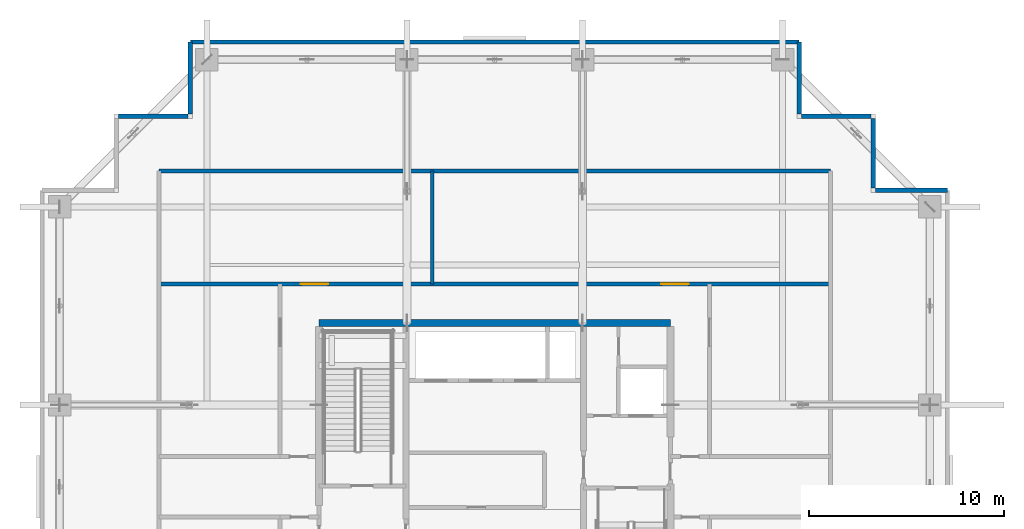
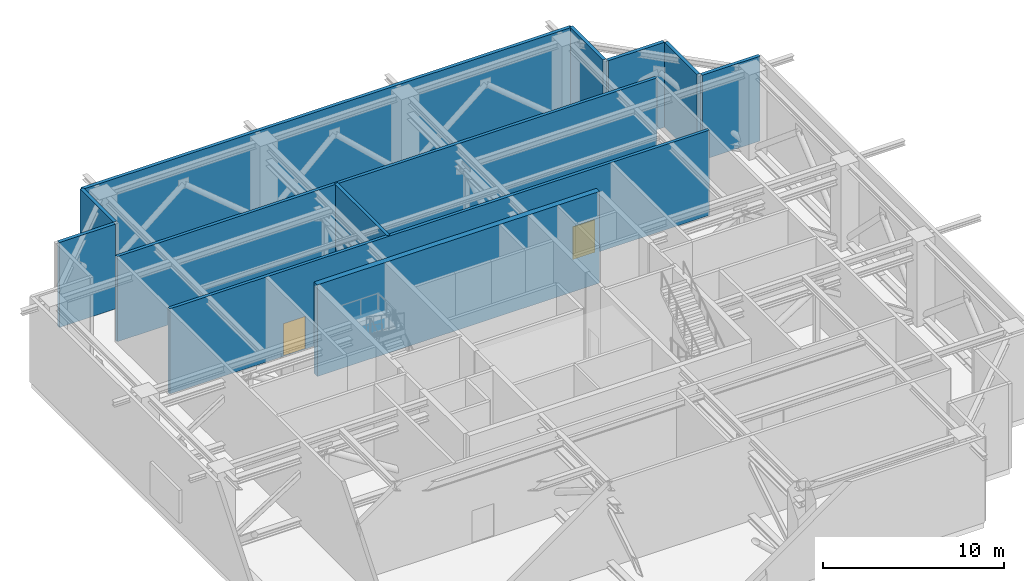
# One storey, part 17 of 22: 11 walls, 2 doors, 2 openings.
"""IFC4 building model written with IfcOpenShell, lengths in metres."""

from ifc_helpers import new_model, si_unit, direction, frame, frame_2d, origin, place, context, subcontext, project, spatial, rectangle, extrude, source, transform, mapped, material, layer, layer_set, type_object, element, fill, save


model = new_model("IFC4")

# Units and contexts
model_context = context("Model", 3, precision=1e-05, world=origin(), true_north=direction((0.0, 1.0)))
body_context = subcontext(model_context, "Body", "Model", "MODEL_VIEW")
ifc_project = project(units=[si_unit("LENGTHUNIT", "METRE"), si_unit("AREAUNIT", "SQUARE_METRE"), si_unit("VOLUMEUNIT", "CUBIC_METRE"), si_unit("PLANEANGLEUNIT", "RADIAN"), si_unit("MASSUNIT", "GRAM", prefix="KILO")], contexts=[model_context])

# Site, building, storey
site_placement = place(None, origin())
site = spatial("IfcSite", under=ifc_project, at=site_placement, CompositionType="ELEMENT")
building_placement = place(site_placement, origin())
building = spatial("IfcBuilding", under=site, at=building_placement, Name="Serunith Strait Residences", CompositionType="ELEMENT")
storey_placement = place(building_placement, frame((0.0, 0.0, 287.449951171875)))
storey = spatial("IfcBuildingStorey", under=building, at=storey_placement, Name="L72", CompositionType="ELEMENT", Elevation=287.449951171875)

# Walls
ifc_material_1 = material(Name="Pale-Champagne Aluminium Insulated Panel", Category="aluminium")
ifc_layer_1 = layer(ifc_material_1, 0.219970703125, Name="Pale-Champagne Aluminium Insulated Panel")
ifc_layer_set_1 = layer_set([ifc_layer_1], Name="Pale-Champagne Aluminium Insulated Panel")
wall_type_1 = type_object("IfcWallType", Name="EW-ALUM-220", PredefinedType="ELEMENTEDWALL", material=ifc_layer_set_1)
wall_1_placement = place(storey_placement, frame((55.60009765625, 40.39990234375, 0.0), z_axis=(0.0, 0.0, 1.0), x_axis=(-1.0, 0.0, 0.0)))
element("IfcWall", 1, at=wall_1_placement, inside=storey, type_object=wall_type_1, Name="L72 Girih Serrated Corner Wall 07", PredefinedType="ELEMENTEDWALL", context=body_context, shape_type="SweptSolid", body=[
    extrude(rectangle(XDim=3.690185546875, YDim=0.219970703125, at=frame_2d((1.84521484375, 0.0))), origin(), (0.0, 0.0, 1.0), 5.72509765625),
])
wall_2_placement = place(storey_placement, frame((51.800048828125, 40.510009765625, 0.0), z_axis=(0.0, 0.0, 1.0), x_axis=(0.0, 1.0, 0.0)))
element("IfcWall", 2, at=wall_2_placement, inside=storey, type_object=wall_type_1, Name="L72 Girih Serrated Corner Wall 08", PredefinedType="ELEMENTEDWALL", context=body_context, shape_type="SweptSolid", body=[
    extrude(rectangle(XDim=3.580078125, YDim=0.219970703125, at=frame_2d((1.7900390625, 0.0))), origin(), (0.0, 0.0, 1.0), 5.72509765625),
])
wall_3_placement = place(storey_placement, frame((51.68994140625, 44.199951171875, 0.0), z_axis=(0.0, 0.0, 1.0), x_axis=(-1.0, 0.0, 0.0)))
element("IfcWall", 3, at=wall_3_placement, inside=storey, type_object=wall_type_1, Name="L72 Girih Serrated Corner Wall 09", PredefinedType="ELEMENTEDWALL", context=body_context, shape_type="SweptSolid", body=[
    extrude(rectangle(XDim=3.579833984375, YDim=0.219970703125, at=frame_2d((1.7900390625, 0.0))), origin(), (0.0, 0.0, 1.0), 5.72509765625),
])
wall_4_placement = place(storey_placement, frame((48.0, 44.31005859375, 0.0), z_axis=(0.0, 0.0, 1.0), x_axis=(0.0, 1.0, 0.0)))
element("IfcWall", 4, at=wall_4_placement, inside=storey, type_object=wall_type_1, Name="L72 Girih Serrated Corner Wall 10", PredefinedType="ELEMENTEDWALL", context=body_context, shape_type="SweptSolid", body=[
    extrude(rectangle(XDim=3.68994140625, YDim=0.219970703125, at=frame_2d((1.844970703125, 0.0))), origin(), (0.0, 0.0, 1.0), 5.72509765625),
])
wall_5_placement = place(storey_placement, frame((48.0, 48.0, 0.0), z_axis=(0.0, 0.0, 1.0), x_axis=(-1.0, 0.0, 0.0)))
element("IfcWall", 5, at=wall_5_placement, inside=storey, type_object=wall_type_1, Name="L72 N Outrigger Plant Acoustic Wall", PredefinedType="ELEMENTEDWALL", context=body_context, shape_type="SweptSolid", body=[
    extrude(rectangle(XDim=31.199951171875, YDim=0.219970703125, at=frame_2d((15.60009765625, 0.0))), origin(), (0.0, 0.0, 1.0), 5.72509765625),
])
wall_6_placement = place(storey_placement, frame((16.800048828125, 48.0, 0.0), z_axis=(0.0, 0.0, 1.0), x_axis=(0.0, -1.0, 0.0)))
element("IfcWall", 6, at=wall_6_placement, inside=storey, type_object=wall_type_1, Name="L72 Girih Serrated Corner Wall 12", PredefinedType="ELEMENTEDWALL", context=body_context, shape_type="SweptSolid", body=[
    extrude(rectangle(XDim=3.68994140625, YDim=0.219970703125, at=frame_2d((1.844970703125, 0.0))), origin(), (0.0, 0.0, 1.0), 5.72509765625),
])
wall_7_placement = place(storey_placement, frame((16.68994140625, 44.199951171875, 0.0), z_axis=(0.0, 0.0, 1.0), x_axis=(-1.0, 0.0, 0.0)))
element("IfcWall", 7, at=wall_7_placement, inside=storey, type_object=wall_type_1, Name="L72 Girih Serrated Corner Wall 13", PredefinedType="ELEMENTEDWALL", context=body_context, shape_type="SweptSolid", body=[
    extrude(rectangle(XDim=3.579833984375, YDim=0.219970703125, at=frame_2d((1.7900390625, 0.0))), origin(), (0.0, 0.0, 1.0), 5.72509765625),
])
ifc_material_2 = material(Name="Acoustic concrete block plant wall", Category="concrete")
ifc_layer_2 = layer(ifc_material_2, 0.199951171875, Name="Acoustic concrete block plant wall")
ifc_layer_set_2 = layer_set([ifc_layer_2], Name="Acoustic concrete block plant wall")
wall_type_2 = type_object("IfcWallType", Name="IW-PLANT-200", PredefinedType="STANDARD", material=ifc_layer_set_2)
wall_8_placement = place(storey_placement, frame((15.199951171875, 41.39990234375, 0.0), z_axis=(0.0, 0.0, 1.0), x_axis=(1.0, 0.0, 0.0)))
element("IfcWall", 8, at=wall_8_placement, inside=storey, type_object=wall_type_2, Name="L72 Partition Wall 019", PredefinedType="STANDARD", context=body_context, shape_type="SweptSolid", body=[
    extrude(rectangle(XDim=34.400146484375, YDim=0.199951171875, at=frame_2d((17.2001953125, 0.0))), origin(), (0.0, 0.0, 1.0), 5.739990234375),
])

# Wall, openings, doors
wall_9_placement = place(storey_placement, frame((15.199951171875, 35.60009765625, 0.0), z_axis=(0.0, 0.0, 1.0), x_axis=(1.0, 0.0, 0.0)))
wall_9 = element("IfcWall", 9, at=wall_9_placement, inside=storey, type_object=wall_type_2, Name="L72 Partition Wall 031", PredefinedType="STANDARD", context=body_context, shape_type="SweptSolid", body=[
    extrude(rectangle(XDim=34.400146484375, YDim=0.199951171875, at=frame_2d((17.2001953125, 0.0))), origin(), (0.0, 0.0, 1.0), 5.739990234375),
])
opening_1_placement = place(wall_9_placement, frame((7.260009765625, 0.0, 0.0)))
opening_1 = element("IfcOpeningElement", 10, at=opening_1_placement, cuts=wall_9, Name="Opening FD-1400", PredefinedType="OPENING", context=body_context, shape_type="SweptSolid", body=[
    extrude(rectangle(XDim=1.39990234375, YDim=2.199951171875, at=frame_2d((0.699951171875, 1.10009765625))), frame((0.0, 0.10986328125, 0.0), z_axis=(0.0, -1.0, 0.0), x_axis=(1.0, 0.0, 0.0)), (0.0, 0.0, 1.0), 0.219970703125),
])
opening_2_placement = place(wall_9_placement, frame((25.739990234375, 0.0, 0.0)))
opening_2 = element("IfcOpeningElement", 11, at=opening_2_placement, cuts=wall_9, Name="Opening FD-1400", PredefinedType="OPENING", context=body_context, shape_type="SweptSolid", body=[
    extrude(rectangle(XDim=1.39990234375, YDim=2.199951171875, at=frame_2d((0.699951171875, 1.10009765625))), frame((0.0, 0.10986328125, 0.0), z_axis=(0.0, -1.0, 0.0), x_axis=(1.0, 0.0, 0.0)), (0.0, 0.0, 1.0), 0.219970703125),
])
ifc_material_3 = material(Name="Acoustic double-skin steel plant door", Category="steel")
door_type = type_object("IfcDoorType", Name="FD-PLANT-1400", OperationType="DOUBLE_DOOR_SINGLE_SWING", PredefinedType="DOOR", material=ifc_material_3)
shared_shape = source(origin(), body_context, "Body", "SweptSolid", [
    extrude(rectangle(XDim=1.39990234375, YDim=2.199951171875, at=frame_2d((0.699951171875, 1.10009765625))), frame((0.0, 0.02490234375, 0.0), z_axis=(0.0, -1.0, 0.0), x_axis=(1.0, 0.0, 0.0)), (0.0, 0.0, 1.0), 0.050048828125),
])
door_1_placement = place(opening_1_placement, origin())
door_1 = element("IfcDoor", 12, at=door_1_placement, inside=storey, type_object=door_type, Name="L72 Booster Pump Plant Door", OperationType="DOUBLE_DOOR_SINGLE_SWING", OverallHeight=2.199951171875, OverallWidth=1.39990234375, PredefinedType="DOOR", context=body_context, shape_type="MappedRepresentation", body=[
    mapped(shared_shape, transform((0.0, 0.0, 0.0), scale=1.0)),
])
fill(opening_1, door_1)
door_2_placement = place(opening_2_placement, origin())
door_2 = element("IfcDoor", 13, at=door_2_placement, inside=storey, type_object=door_type, Name="L72 Switchgear Plant Door", OperationType="DOUBLE_DOOR_SINGLE_SWING", OverallHeight=2.199951171875, OverallWidth=1.39990234375, PredefinedType="DOOR", context=body_context, shape_type="MappedRepresentation", body=[
    mapped(shared_shape, transform((0.0, 0.0, 0.0), scale=1.0)),
])
fill(opening_2, door_2)

# Walls
wall_10_placement = place(storey_placement, frame((29.199951171875, 35.60009765625, 0.0), z_axis=(0.0, 0.0, 1.0), x_axis=(0.0, 1.0, 0.0)))
element("IfcWall", 14, at=wall_10_placement, inside=storey, type_object=wall_type_2, Name="L72 Partition Wall 033", PredefinedType="STANDARD", context=body_context, shape_type="SweptSolid", body=[
    extrude(rectangle(XDim=5.7998046875, YDim=0.199951171875, at=frame_2d((2.89990234375, 0.0))), origin(), (0.0, 0.0, 1.0), 5.739990234375),
])
ifc_material_4 = material(Name="Concrete C60/75", Category="concrete")
ifc_layer_3 = layer(ifc_material_4, 0.35009765625, Name="Concrete C60/75")
ifc_layer_set_3 = layer_set([ifc_layer_3], Name="Concrete C60/75")
wall_type_3 = type_object("IfcWallType", Name="SW-350-C60", PredefinedType="SHEAR", material=ifc_layer_set_3)
wall_11_placement = place(storey_placement, frame((41.39990234375, 33.60009765625, -0.43994140625), z_axis=(0.0, 0.0, 1.0), x_axis=(-1.0, 0.0, 0.0)))
element("IfcWall", 15, at=wall_11_placement, inside=storey, type_object=wall_type_3, Name="L72 Core North Shear Wall", PredefinedType="SHEAR", context=body_context, shape_type="SweptSolid", body=[
    extrude(rectangle(XDim=18.0, YDim=0.35009765625, at=frame_2d((9.0, 0.0))), origin(), (0.0, 0.0, 1.0), 6.177978515625),
])

save(model, "model.ifc")
